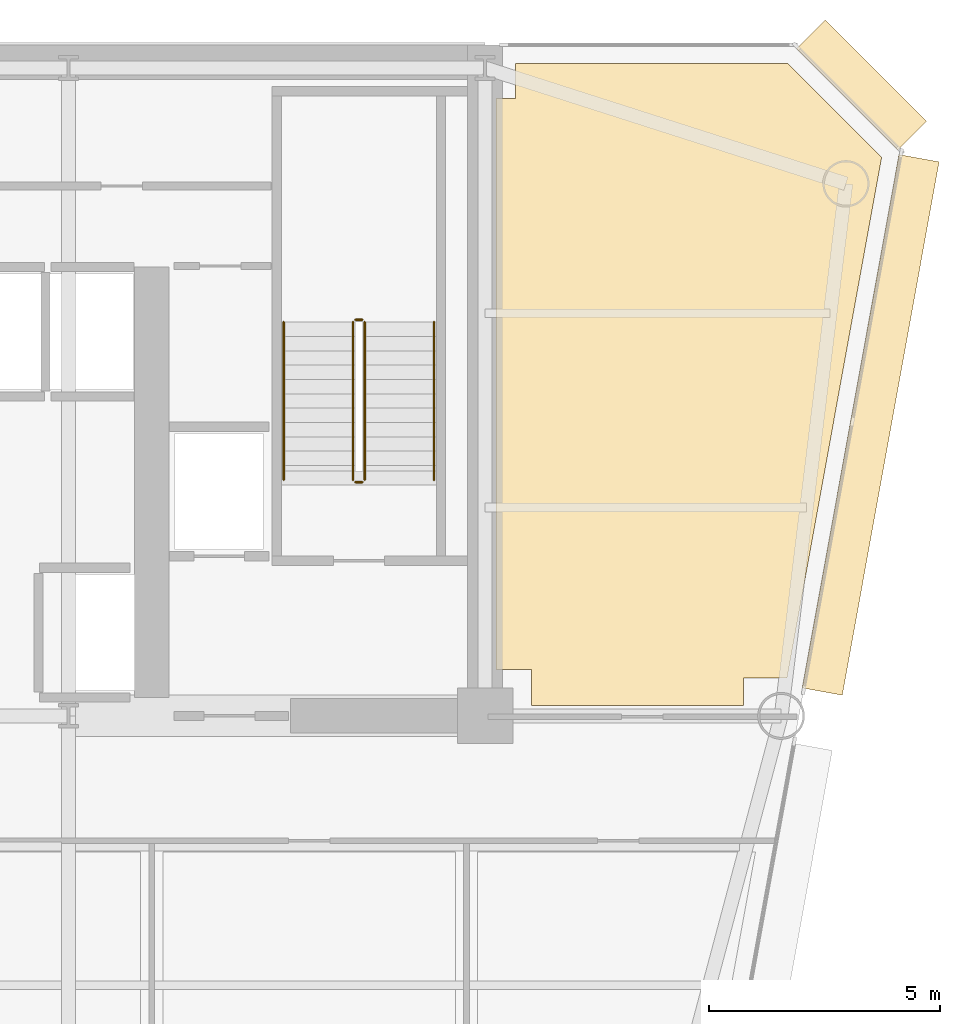
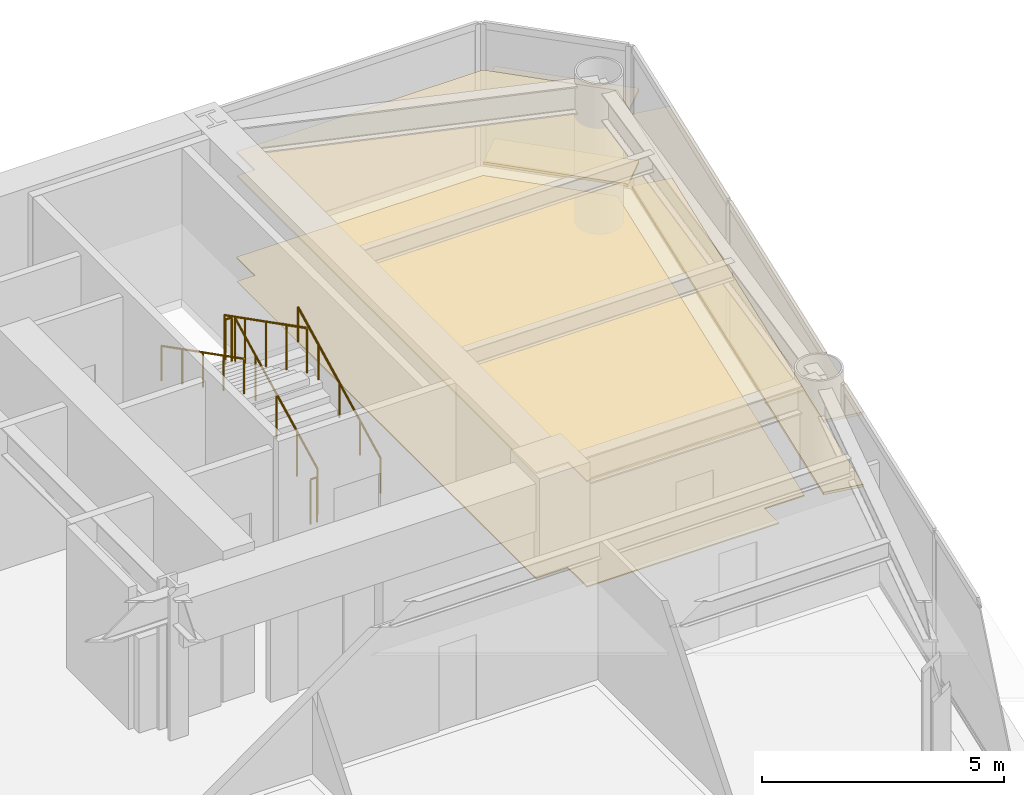
# One storey, part 14 of 14: 6 coverings, 6 railings.
"""IFC4 building model written with IfcOpenShell, lengths in metres."""

import ifcopenshell
import ifcopenshell.guid

model = None  # the IFC model being written
_history = None  # IfcOwnerHistory: only IFC2X3 demands one
_inside = {}  # id of a spatial element -> (the spatial element, [elements in it])
_under = {}  # id of a project, library or spatial element -> (it, [spatial elements below it])
_declared = {}  # id of a project -> (the project, [libraries it declares])
_typed = {}  # id of a type object -> (the type object, [elements of that type])
_made_of = {}  # id of a material, layer set ... -> (it, [elements and type objects made of it])


def new_model(schema):
    """Start an empty IFC model of exactly this schema.

    Asked for "IFC4X3", IfcOpenShell would pick the latest addendum, in which some entities
    have other attributes; the version numbers below select the first issue.
    IFC2X3 requires an IfcOwnerHistory on every rooted entity: one is made here for all.
    """
    global model, _history
    if schema == "IFC4X3":
        model = ifcopenshell.file(schema_version=(4, 3, 0, 0))
    else:
        model = ifcopenshell.file(schema=schema)
    _inside.clear()
    _under.clear()
    _declared.clear()
    _typed.clear()
    _made_of.clear()
    _history = None
    if model.schema == "IFC2X3":
        org = make("IfcOrganization", Name="unknown")
        user = make(
            "IfcPersonAndOrganization",
            ThePerson=make("IfcPerson", FamilyName="unknown"),
            TheOrganization=org,
        )
        app = make(
            "IfcApplication",
            ApplicationDeveloper=org,
            Version="unknown",
            ApplicationFullName="unknown",
            ApplicationIdentifier="unknown",
        )
        _history = make(
            "IfcOwnerHistory",
            OwningUser=user,
            OwningApplication=app,
            ChangeAction="ADDED",
            CreationDate=0,
        )
    return model


def make(cls, **values):
    """One entity of the class cls with the attributes given. An attribute that is None is left unset."""
    return model.create_entity(
        cls, **{name: value for name, value in values.items() if value is not None}
    )


def rooted(cls, **values):
    """An entity with a GlobalId (a new one), such as an element, a storey or a relation."""
    return make(cls, GlobalId=ifcopenshell.guid.new(), OwnerHistory=_history, **values)


def si_unit(unit_type, name, prefix=None):
    """IfcSIUnit, for example si_unit("LENGTHUNIT", "METRE", prefix="MILLI")."""
    return make("IfcSIUnit", UnitType=unit_type, Prefix=prefix, Name=name)


def assignment(units):
    """IfcUnitAssignment: the units of a project."""
    return None if units is None else make("IfcUnitAssignment", Units=units)


def point(xyz):
    """IfcCartesianPoint."""
    return None if xyz is None else make("IfcCartesianPoint", Coordinates=xyz)


def direction(xyz):
    """IfcDirection."""
    return None if xyz is None else make("IfcDirection", DirectionRatios=xyz)


def frame(location, z_axis=None, x_axis=None):
    """IfcAxis2Placement3D, a coordinate frame: its origin and axes. An axis left out is left unset."""
    return make(
        "IfcAxis2Placement3D",
        Location=point(location),
        Axis=direction(z_axis),
        RefDirection=direction(x_axis),
    )


def frame_2d(location, x_axis=None):
    """IfcAxis2Placement2D, a coordinate frame in the plane: its origin and x axis."""
    return make(
        "IfcAxis2Placement2D", Location=point(location), RefDirection=direction(x_axis)
    )


def origin():
    """The frame at (0, 0, 0) with its axes left unset."""
    return frame((0.0, 0.0, 0.0))


def origin_2d():
    """The frame at (0, 0) in the plane with its x axis left unset."""
    return frame_2d((0.0, 0.0))


def place(relative_to, where):
    """IfcLocalPlacement: puts the frame where relative to a parent placement (None: the world)."""
    return make(
        "IfcLocalPlacement", PlacementRelTo=relative_to, RelativePlacement=where
    )


def context(
    kind, dimensions, precision=None, world=None, true_north=None, identifier=None
):
    """IfcGeometricRepresentationContext, for example the 3D "Model" context."""
    return make(
        "IfcGeometricRepresentationContext",
        ContextIdentifier=identifier,
        ContextType=kind,
        CoordinateSpaceDimension=dimensions,
        Precision=precision,
        WorldCoordinateSystem=world,
        TrueNorth=true_north,
    )


def subcontext(parent, identifier, kind, view, scale=None):
    """IfcGeometricRepresentationSubContext, for example "Body" below "Model"."""
    return make(
        "IfcGeometricRepresentationSubContext",
        ContextIdentifier=identifier,
        ContextType=kind,
        ParentContext=parent,
        TargetScale=scale,
        TargetView=view,
    )


def project(units=None, contexts=None):
    """IfcProject with its units and contexts."""
    return rooted(
        "IfcProject",
        Name="project",
        RepresentationContexts=contexts,
        UnitsInContext=assignment(units),
    )


def spatial(cls, under=None, at=None, **own):
    """A site, building, storey or space (cls), placed at a placement, below another one or the project."""
    s = rooted(cls, ObjectPlacement=at, **own)
    if under is not None:
        _under.setdefault(under.id(), (under, []))[1].append(s)
    return s


def polyline(points):
    """IfcPolyline through the points."""
    return make("IfcPolyline", Points=[point(p) for p in points])


def profile(cls, at=None, kind="AREA", **sizes):
    """A parametric profile (cls). Its sizes go by their IFC names, for example OverallWidth=200.0."""
    return make(cls, ProfileType=kind, Position=at, **sizes)


def rectangle(**sizes):
    """IfcRectangleProfileDef."""
    return profile("IfcRectangleProfileDef", **sizes)


def circle(**sizes):
    """IfcCircleProfileDef."""
    return profile("IfcCircleProfileDef", **sizes)


def outline(outer, holes=None, kind="AREA"):
    """IfcArbitraryClosedProfileDef: a profile drawn as a closed curve; with holes, ...WithVoids."""
    if holes is None:
        return make("IfcArbitraryClosedProfileDef", ProfileType=kind, OuterCurve=outer)
    return make(
        "IfcArbitraryProfileDefWithVoids",
        ProfileType=kind,
        OuterCurve=outer,
        InnerCurves=holes,
    )


def extrude(swept, where, along, depth):
    """IfcExtrudedAreaSolid: the profile swept, set in the frame where, extruded along a direction by depth."""
    return make(
        "IfcExtrudedAreaSolid",
        SweptArea=swept,
        Position=where,
        ExtrudedDirection=direction(along),
        Depth=depth,
    )


def shape(context_of_items, identifier, shape_type, items):
    """IfcShapeRepresentation: the items that make up one representation, for example the "Body"."""
    return make(
        "IfcShapeRepresentation",
        ContextOfItems=context_of_items,
        RepresentationIdentifier=identifier,
        RepresentationType=shape_type,
        Items=items,
    )


def source(mapping_origin, context_of_items, identifier, shape_type, items):
    """IfcRepresentationMap: a shape defined once, which mapped items show again and again."""
    return make(
        "IfcRepresentationMap",
        MappingOrigin=mapping_origin,
        MappedRepresentation=shape(context_of_items, identifier, shape_type, items),
    )


def transform(
    local_origin,
    x_axis=None,
    y_axis=None,
    z_axis=None,
    scale=None,
    scale2=None,
    scale3=None,
    uniform=True,
):
    """IfcCartesianTransformationOperator3D, or its non-uniform kind. x_axis, y_axis, z_axis: its Axis1, 2, 3."""
    if uniform:
        return make(
            "IfcCartesianTransformationOperator3D",
            Axis1=direction(x_axis),
            Axis2=direction(y_axis),
            LocalOrigin=point(local_origin),
            Scale=scale,
            Axis3=direction(z_axis),
        )
    return make(
        "IfcCartesianTransformationOperator3DnonUniform",
        Axis1=direction(x_axis),
        Axis2=direction(y_axis),
        LocalOrigin=point(local_origin),
        Scale=scale,
        Axis3=direction(z_axis),
        Scale2=scale2,
        Scale3=scale3,
    )


def mapped(mapping_source, mapping_target):
    """IfcMappedItem: shows the shape of a source again, moved by a transform."""
    return make(
        "IfcMappedItem", MappingSource=mapping_source, MappingTarget=mapping_target
    )


def material(Name=None, Category=None):
    """IfcMaterial."""
    return make("IfcMaterial", Name=Name, Category=Category)


def layer(
    of_material, thickness, ventilated=None, Name=None, Category=None, Priority=None
):
    """IfcMaterialLayer: one layer of a wall or slab, of a material (None: an air gap)."""
    return make(
        "IfcMaterialLayer",
        Material=of_material,
        LayerThickness=thickness,
        IsVentilated=ventilated,
        Name=Name,
        Category=Category,
        Priority=Priority,
    )


def layer_set(layers, Name=None):
    """IfcMaterialLayerSet."""
    return make("IfcMaterialLayerSet", MaterialLayers=layers, LayerSetName=Name)


def made_of(thing, what):
    """Note that an element or type object is made of a material, layer set ...; save() writes the relation."""
    if what is not None:
        _made_of.setdefault(what.id(), (what, []))[1].append(thing)
    return thing


def type_object(cls, material=None, **own):
    """A type object (cls), such as IfcWallType, which elements share."""
    return made_of(rooted(cls, **own), material)


def element(
    cls,
    number,
    at=None,
    inside=None,
    cuts=None,
    type_object=None,
    material=None,
    context=None,
    identifier="Body",
    shape_type=None,
    held_by="IfcProductDefinitionShape",
    body=None,
    shapes=None,
    **own,
):
    """One element of the class cls, such as IfcWall. Its Tag is "e" and its number.

    at: its placement. inside: the storey or other place that contains it. cuts: it is an
    opening in that element (IfcRelVoidsElement). A single representation is given by context,
    identifier, shape_type and body (its items); several are given by shapes. held_by: the class
    of the entity that holds the representations. save() writes the other relations.
    """
    e = rooted(cls, Tag="e%d" % number, ObjectPlacement=at, **own)
    if body is not None:
        shapes = [shape(context, identifier, shape_type, body)]
    if shapes is not None:
        e.Representation = make(held_by, Representations=shapes)
    if inside is not None:
        _inside.setdefault(inside.id(), (inside, []))[1].append(e)
    if cuts is not None:
        rooted(
            "IfcRelVoidsElement", RelatingBuildingElement=cuts, RelatedOpeningElement=e
        )
    if type_object is not None:
        _typed.setdefault(type_object.id(), (type_object, []))[1].append(e)
    return made_of(e, material)


def aggregate(whole, parts):
    """IfcRelAggregates: a whole, such as a stair, and the parts it consists of."""
    return rooted("IfcRelAggregates", RelatingObject=whole, RelatedObjects=parts)


def save(model, path):
    """Write the relations noted so far, then the file.

    IfcRelAggregates (storeys below a building ...), IfcRelContainedInSpatialStructure (elements
    in a storey), IfcRelDefinesByType, IfcRelAssociatesMaterial and IfcRelDeclares: one each for
    every whole, place, type object, material and project.
    """
    for whole, parts in _under.values():
        aggregate(whole, parts)
    for where, things in _inside.values():
        rooted(
            "IfcRelContainedInSpatialStructure",
            RelatedElements=things,
            RelatingStructure=where,
        )
    for kind, things in _typed.values():
        rooted("IfcRelDefinesByType", RelatedObjects=things, RelatingType=kind)
    for what, things in _made_of.values():
        rooted("IfcRelAssociatesMaterial", RelatedObjects=things, RelatingMaterial=what)
    for by, libraries in _declared.values():
        rooted("IfcRelDeclares", RelatingContext=by, RelatedDefinitions=libraries)
    model.write(path)


model = new_model("IFC4")

# Units and contexts
model_context = context("Model", 3, precision=1e-05, world=origin(), true_north=direction((0.0, 1.0)))
body_context = subcontext(model_context, "Body", "Model", "MODEL_VIEW")
ifc_project = project(units=[si_unit("LENGTHUNIT", "METRE"), si_unit("AREAUNIT", "SQUARE_METRE"), si_unit("VOLUMEUNIT", "CUBIC_METRE"), si_unit("PLANEANGLEUNIT", "RADIAN"), si_unit("MASSUNIT", "GRAM", prefix="KILO")], contexts=[model_context])

# Site, building, storey
site_placement = place(None, origin())
site = spatial("IfcSite", under=ifc_project, at=site_placement, CompositionType="ELEMENT")
building_placement = place(site_placement, origin())
building = spatial("IfcBuilding", under=site, at=building_placement, Name="Vaeldorn Concourse Tower", CompositionType="ELEMENT")
storey_placement = place(building_placement, frame((0.0, 0.0, 137.60009765625)))
storey = spatial("IfcBuildingStorey", under=building, at=storey_placement, Name="L35", CompositionType="ELEMENT", Elevation=137.60009765625)

# Coverings
ifc_material_1 = material(Name="Acoustic Mineral Fibre Board", Category="gypsum")
ifc_layer_1 = layer(ifc_material_1, 0.0400390625)
ifc_layer_set_1 = layer_set([ifc_layer_1], Name="Acoustic Mineral Fibre Board")
covering_type_1 = type_object("IfcCoveringType", Name="COV-CEIL-ACOUSTIC", PredefinedType="CEILING", material=ifc_layer_set_1)
covering_1_placement = place(storey_placement, frame((0.0, 0.0, 2.64990234375)))
element("IfcCovering", 1, at=covering_1_placement, inside=storey, type_object=covering_type_1, Name="Suspended Acoustic Ceiling L35-4", PredefinedType="CEILING", context=body_context, shape_type="SweptSolid", body=[
    extrude(outline(polyline([(54.659912109375, 49.840087890625), (54.659912109375, 50.60009765625), (60.5341796875, 50.60009765625), (62.569091796875, 48.565185546875), (60.527587890625, 37.320068359375), (59.580078125, 37.320068359375), (59.580078125, 36.719970703125), (55.0, 36.719970703125), (55.0, 37.5), (54.239990234375, 37.5), (54.239990234375, 49.840087890625), (54.659912109375, 49.840087890625)])), origin(), (0.0, 0.0, 1.0), 0.0400390625),
])
ifc_material_2 = material(Name="Honed Limestone Terrazzo Flooring", Category="masonry")
ifc_layer_2 = layer(ifc_material_2, 0.0400390625)
ifc_layer_set_2 = layer_set([ifc_layer_2], Name="Honed Limestone Terrazzo Flooring")
covering_type_2 = type_object("IfcCoveringType", Name="COV-FLOOR-STONE", PredefinedType="FLOORING", material=ifc_layer_set_2)
covering_2_placement = place(storey_placement, origin())
element("IfcCovering", 2, at=covering_2_placement, inside=storey, type_object=covering_type_2, Name="Floor Finish Covering L35-4", PredefinedType="FLOORING", context=body_context, shape_type="SweptSolid", body=[
    extrude(outline(polyline([(54.659912109375, 49.840087890625), (54.659912109375, 50.60009765625), (60.5341796875, 50.60009765625), (62.569091796875, 48.565185546875), (60.527587890625, 37.320068359375), (59.580078125, 37.320068359375), (59.580078125, 36.719970703125), (55.0, 36.719970703125), (55.0, 37.5), (54.239990234375, 37.5), (54.239990234375, 49.840087890625), (54.659912109375, 49.840087890625)])), origin(), (0.0, 0.0, 1.0), 0.02978515625),
])

# Railings
ifc_material_3 = material(Name="Anodised Bronze Aluminium", Category="aluminium")
railing_type_1 = type_object("IfcRailingType", Name="RL-STAIR-GUARD", PredefinedType="GUARDRAIL", material=ifc_material_3)
railing_1_placement = place(storey_placement, frame((51.39990234375, 41.60009765625, 0.158203125)))
element("IfcRailing", 3, at=railing_1_placement, inside=storey, type_object=railing_type_1, Name="L35 ST-2 stair guard 1", PredefinedType="GUARDRAIL", context=body_context, shape_type="SweptSolid", body=[
    extrude(circle(Radius=0.02392578125, at=origin_2d()), frame((0.0, 0.0, 1.1259765625), z_axis=(0.0, 0.890555807335, 0.454873997962), x_axis=(-1.0, 0.0, 0.0)), (0.0, 0.0, 1.0), 3.828857421875),
    extrude(circle(Radius=0.02099609375, at=origin_2d()), origin(), (0.0, 0.0, 1.0), 1.101806640625),
    extrude(circle(Radius=0.02099609375, at=origin_2d()), frame((0.0, 0.8525390625, 0.435546875)), (0.0, 0.0, 1.0), 1.101806640625),
    extrude(circle(Radius=0.02099609375, at=origin_2d()), frame((0.0, 1.705078125, 0.870849609375)), (0.0, 0.0, 1.0), 1.101806640625),
    extrude(circle(Radius=0.02099609375, at=origin_2d()), frame((0.0, 2.557373046875, 1.30615234375)), (0.0, 0.0, 1.0), 1.101806640625),
    extrude(circle(Radius=0.02099609375, at=origin_2d()), frame((0.0, 3.409912109375, 1.74169921875)), (0.0, 0.0, 1.0), 1.101806640625),
])
railing_2_placement = place(storey_placement, frame((51.35009765625, 45.06005859375, 1.89990234375)))
element("IfcRailing", 4, at=railing_2_placement, inside=storey, type_object=railing_type_1, Name="L35 ST-2 stair guard 2", PredefinedType="GUARDRAIL", context=body_context, shape_type="SweptSolid", body=[
    extrude(circle(Radius=0.02392578125, at=origin_2d()), frame((0.0, 0.0, 1.1259765625), z_axis=(-1.0, 0.0, 0.0), x_axis=(0.0, -1.0, 0.0)), (0.0, 0.0, 1.0), 0.150146484375),
    extrude(circle(Radius=0.02099609375, at=origin_2d()), origin(), (0.0, 0.0, 1.0), 1.101806640625),
    extrude(circle(Radius=0.02099609375, at=origin_2d()), frame((-0.150146484375, 0.0, 0.0)), (0.0, 0.0, 1.0), 1.101806640625),
])
railing_3_placement = place(storey_placement, frame((51.14990234375, 45.010009765625, 2.058349609375)))
element("IfcRailing", 5, at=railing_3_placement, inside=storey, type_object=railing_type_1, Name="L35 ST-2 stair guard 3", PredefinedType="GUARDRAIL", context=body_context, shape_type="SweptSolid", body=[
    extrude(circle(Radius=0.02392578125, at=origin_2d()), frame((0.0, 0.0, 1.1259765625), z_axis=(0.0, -0.890581635807, 0.454823427236), x_axis=(1.0, 0.0, 0.0)), (0.0, 0.0, 1.0), 3.828857421875),
    extrude(circle(Radius=0.02099609375, at=origin_2d()), origin(), (0.0, 0.0, 1.0), 1.101806640625),
    extrude(circle(Radius=0.02099609375, at=origin_2d()), frame((0.0, -0.8525390625, 0.435302734375)), (0.0, 0.0, 1.0), 1.101806640625),
    extrude(circle(Radius=0.02099609375, at=origin_2d()), frame((0.0, -1.705078125, 0.87060546875)), (0.0, 0.0, 1.0), 1.101806640625),
    extrude(circle(Radius=0.02099609375, at=origin_2d()), frame((0.0, -2.557373046875, 1.30615234375)), (0.0, 0.0, 1.0), 1.101806640625),
    extrude(circle(Radius=0.02099609375, at=origin_2d()), frame((0.0, -3.409912109375, 1.741455078125)), (0.0, 0.0, 1.0), 1.101806640625),
])
railing_4_placement = place(storey_placement, frame((51.35009765625, 41.550048828125, 0.0)))
element("IfcRailing", 6, at=railing_4_placement, inside=storey, type_object=railing_type_1, Name="L35 ST-2 stair guard 4", PredefinedType="GUARDRAIL", context=body_context, shape_type="SweptSolid", body=[
    extrude(circle(Radius=0.02392578125, at=origin_2d()), frame((0.0, 0.0, 1.1259765625), z_axis=(-1.0, 0.0, 0.0), x_axis=(0.0, -1.0, 0.0)), (0.0, 0.0, 1.0), 0.150146484375),
    extrude(circle(Radius=0.02099609375, at=origin_2d()), origin(), (0.0, 0.0, 1.0), 1.101806640625),
    extrude(circle(Radius=0.02099609375, at=origin_2d()), frame((-0.150146484375, 0.0, 0.0)), (0.0, 0.0, 1.0), 1.101806640625),
])
railing_type_2 = type_object("IfcRailingType", Name="RL-STAIR-HANDRAIL", PredefinedType="HANDRAIL", material=ifc_material_3)
railing_5_placement = place(storey_placement, frame((52.89990234375, 41.60009765625, 0.158203125)))
element("IfcRailing", 7, at=railing_5_placement, inside=storey, type_object=railing_type_2, Name="L35 ST-2 stair handrail 1", PredefinedType="HANDRAIL", context=body_context, shape_type="SweptSolid", body=[
    extrude(circle(Radius=0.02392578125, at=origin_2d()), frame((0.0, 0.0, 0.8759765625), z_axis=(0.0, 0.890555807335, 0.454873997962), x_axis=(-1.0, 0.0, 0.0)), (0.0, 0.0, 1.0), 3.828857421875),
    extrude(circle(Radius=0.02099609375, at=origin_2d()), origin(), (0.0, 0.0, 1.0), 0.851806640625),
    extrude(circle(Radius=0.02099609375, at=origin_2d()), frame((0.0, 0.8525390625, 0.435546875)), (0.0, 0.0, 1.0), 0.851806640625),
    extrude(circle(Radius=0.02099609375, at=origin_2d()), frame((0.0, 1.705078125, 0.870849609375)), (0.0, 0.0, 1.0), 0.851806640625),
    extrude(circle(Radius=0.02099609375, at=origin_2d()), frame((0.0, 2.557373046875, 1.30615234375)), (0.0, 0.0, 1.0), 0.851806640625),
    extrude(circle(Radius=0.02099609375, at=origin_2d()), frame((0.0, 3.409912109375, 1.74169921875)), (0.0, 0.0, 1.0), 0.851806640625),
])
railing_6_placement = place(storey_placement, frame((49.64990234375, 45.010009765625, 2.058349609375)))
element("IfcRailing", 8, at=railing_6_placement, inside=storey, type_object=railing_type_2, Name="L35 ST-2 stair handrail 2", PredefinedType="HANDRAIL", context=body_context, shape_type="SweptSolid", body=[
    extrude(circle(Radius=0.02392578125, at=origin_2d()), frame((0.0, 0.0, 0.8759765625), z_axis=(0.0, -0.890581635807, 0.454823427236), x_axis=(1.0, 0.0, 0.0)), (0.0, 0.0, 1.0), 3.828857421875),
    extrude(circle(Radius=0.02099609375, at=origin_2d()), origin(), (0.0, 0.0, 1.0), 0.851806640625),
    extrude(circle(Radius=0.02099609375, at=origin_2d()), frame((0.0, -0.8525390625, 0.435302734375)), (0.0, 0.0, 1.0), 0.851806640625),
    extrude(circle(Radius=0.02099609375, at=origin_2d()), frame((0.0, -1.705078125, 0.87060546875)), (0.0, 0.0, 1.0), 0.851806640625),
    extrude(circle(Radius=0.02099609375, at=origin_2d()), frame((0.0, -2.557373046875, 1.30615234375)), (0.0, 0.0, 1.0), 0.851806640625),
    extrude(circle(Radius=0.02099609375, at=origin_2d()), frame((0.0, -3.409912109375, 1.741455078125)), (0.0, 0.0, 1.0), 0.851806640625),
])

# Coverings
ifc_layer_3 = layer(ifc_material_3, 0.06494140625)
ifc_layer_set_3 = layer_set([ifc_layer_3], Name="Anodised Bronze Aluminium")
covering_type_3 = type_object("IfcCoveringType", Name="SD-BRONZE-SUNSHADE", PredefinedType="USERDEFINED", material=ifc_layer_set_3)
shared_shape_1 = source(origin(), body_context, "Body", "SweptSolid", [
    extrude(rectangle(XDim=3.0927734375, YDim=0.8798828125, at=origin_2d()), origin(), (0.0, 0.0, 1.0), 0.06494140625),
])
for number, where, z_axis, x_axis, name in (
    (9, (62.1328125, 50.1328125, 0.04736328125), (0.0, 0.0, 1.0), (-0.707106781187, 0.707106781187, 0.0), "Horizontal Bronze Sunshade L35-E08.1.1"),
    (10, (62.1328125, 50.1328125, 1.867431640625), (0.0, 0.0, 1.0), (-0.707106781187, 0.707106781187, 0.0), "Horizontal Bronze Sunshade L35-E08.1.2"),
):
    element("IfcCovering", number, at=place(storey_placement, frame(where, z_axis=z_axis, x_axis=x_axis)), inside=storey, type_object=covering_type_3, Name=name, ObjectType="SUNSHADE", PredefinedType="USERDEFINED", context=body_context, shape_type="MappedRepresentation", body=[
        mapped(shared_shape_1, transform((0.0, 0.0, 0.0), scale=1.0)),
    ])
shared_shape_2 = source(origin(), body_context, "Body", "SweptSolid", [
    extrude(rectangle(XDim=11.712890625, YDim=0.8798828125, at=origin_2d()), origin(), (0.0, 0.0, 1.0), 0.06494140625),
])
for number, where, z_axis, x_axis, name in (
    (11, (62.333251953125, 42.78759765625, 0.04736328125), (0.0, 0.0, 1.0), (0.178613319455, 0.983919347362, 0.0), "Horizontal Bronze Sunshade L35-E07.2.1"),
    (12, (62.333251953125, 42.78759765625, 1.867431640625), (0.0, 0.0, 1.0), (0.178613319455, 0.983919347362, 0.0), "Horizontal Bronze Sunshade L35-E07.2.2"),
):
    element("IfcCovering", number, at=place(storey_placement, frame(where, z_axis=z_axis, x_axis=x_axis)), inside=storey, type_object=covering_type_3, Name=name, ObjectType="SUNSHADE", PredefinedType="USERDEFINED", context=body_context, shape_type="MappedRepresentation", body=[
        mapped(shared_shape_2, transform((0.0, 0.0, 0.0), scale=1.0)),
    ])

save(model, "model.ifc")
